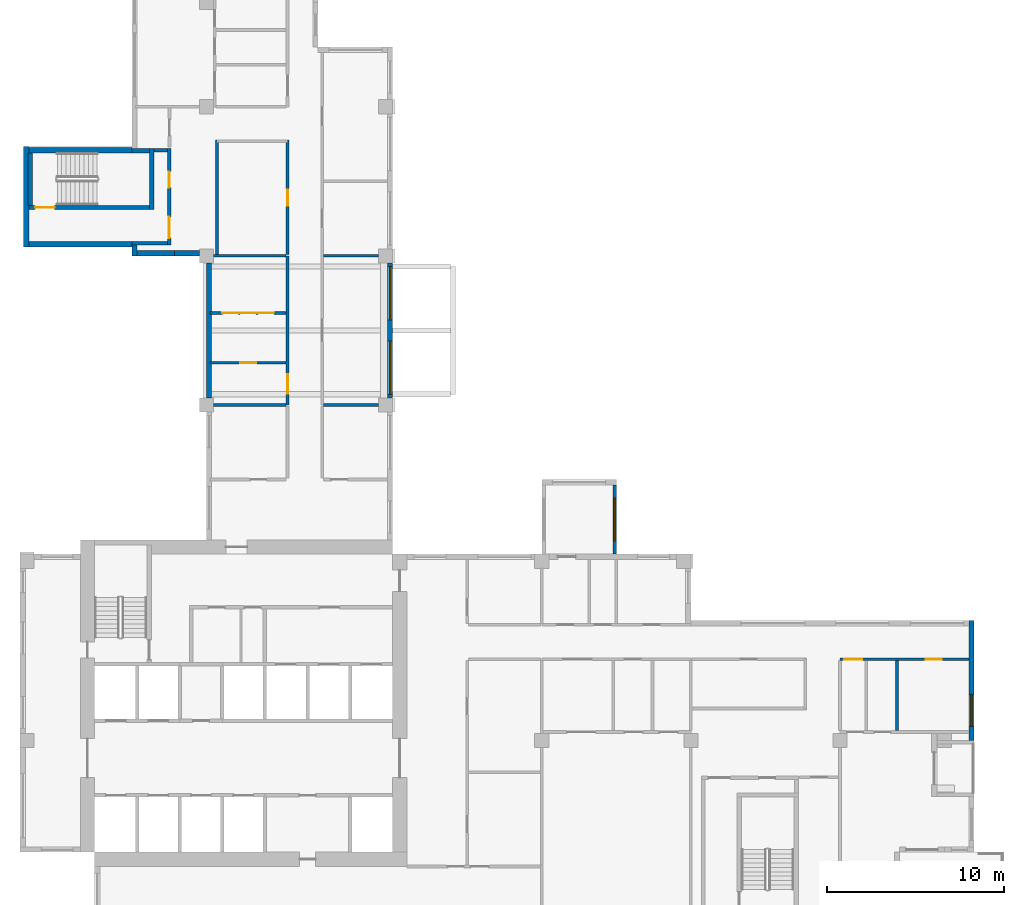
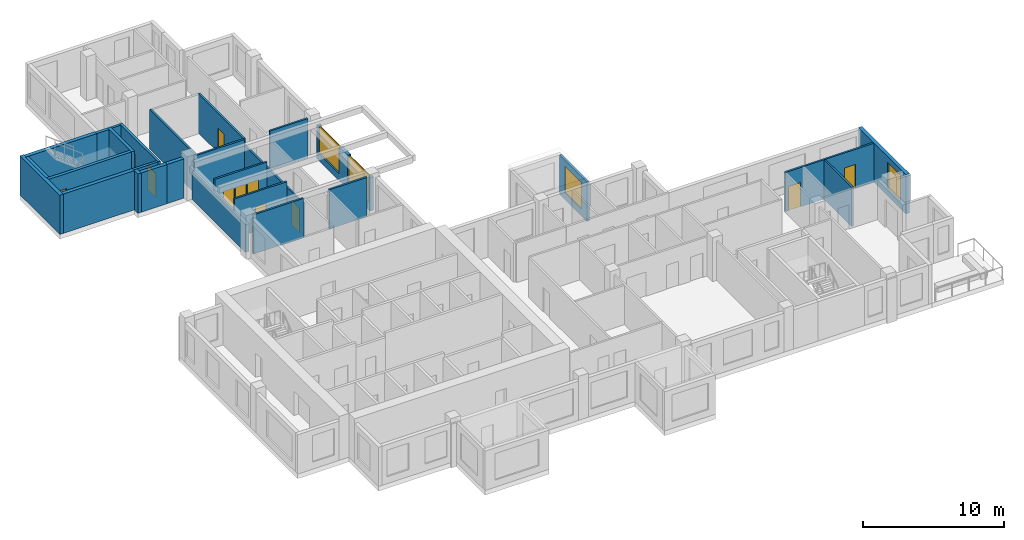
# One storey, part 6 of 12: 28 walls, 11 doors, 4 windows, 15 openings.
"""IFC4 building model written with IfcOpenShell, lengths in metres."""

from ifc_helpers import new_model, si_unit, direction, frame, frame_2d, origin, place, context, subcontext, project, spatial, rectangle, extrude, source, transform, mapped, material, layer, layer_set, type_object, element, fill, save


model = new_model("IFC4")

# Units and contexts
model_context = context("Model", 3, precision=1e-05, world=origin(), true_north=direction((0.0, 1.0)))
body_context = subcontext(model_context, "Body", "Model", "MODEL_VIEW")
ifc_project = project(units=[si_unit("LENGTHUNIT", "METRE"), si_unit("AREAUNIT", "SQUARE_METRE"), si_unit("VOLUMEUNIT", "CUBIC_METRE"), si_unit("PLANEANGLEUNIT", "RADIAN"), si_unit("MASSUNIT", "GRAM", prefix="KILO")], contexts=[model_context])

# Site, building, storey
site_placement = place(None, origin())
site = spatial("IfcSite", under=ifc_project, at=site_placement, CompositionType="ELEMENT")
building_placement = place(site_placement, origin())
building = spatial("IfcBuilding", under=site, at=building_placement, Name="Aurelian Terraces", CompositionType="ELEMENT")
storey_placement = place(building_placement, frame((0.0, 0.0, 234.8)))
storey = spatial("IfcBuildingStorey", under=building, at=storey_placement, Name="L53", CompositionType="ELEMENT", Elevation=234.8)

# Walls
ifc_material_1 = material(Name="Terracotta rainscreen cladding", Category="masonry")
ifc_layer_1 = layer(ifc_material_1, 0.3)
ifc_layer_set_1 = layer_set([ifc_layer_1], Name="EW-300")
wall_type_1 = type_object("IfcWallType", Name="EW-300", PredefinedType="STANDARD", material=ifc_layer_set_1)
wall_1_placement = place(storey_placement, frame((10.65, 37.4, 0.0), z_axis=(0.0, 0.0, 1.0), x_axis=(0.0, -1.0, 0.0)))
element("IfcWall", 1, at=wall_1_placement, inside=storey, type_object=wall_type_1, Name="External wall L53 F18.31", PredefinedType="STANDARD", context=body_context, shape_type="SweptSolid", body=[
    extrude(rectangle(XDim=7.6, YDim=0.3, at=frame_2d((3.8, 0.0))), origin(), (0.0, 0.0, 1.0), 2.4),
])
ifc_material_2 = material(Name="Concrete fc' 40 MPa", Category="concrete")
ifc_layer_2 = layer(ifc_material_2, 0.3)
ifc_layer_set_2 = layer_set([ifc_layer_2], Name="STAIR BAY WALL 300")
wall_type_2 = type_object("IfcWallType", Name="STAIR BAY WALL 300", PredefinedType="SOLIDWALL", material=ifc_layer_set_2)
shared_shape_1 = source(origin(), body_context, "Body", "SweptSolid", [
    extrude(rectangle(XDim=6.1, YDim=0.3, at=frame_2d((3.05, 0.0))), origin(), (0.0, 0.0, 1.0), 3.4),
])
for number, where, z_axis, x_axis, name in (
    (2, (6.3, 43.75, 0.0), (0.0, 0.0, 1.0), (-1.0, 0.0, 0.0), "Stair bay wall L53 F13.26"),
    (3, (0.2, 38.45, 0.0), (0.0, 0.0, 1.0), (1.0, 0.0, 0.0), "Stair bay wall L53 F15.28"),
):
    element("IfcWall", number, at=place(storey_placement, frame(where, z_axis=z_axis, x_axis=x_axis)), inside=storey, type_object=wall_type_2, Name=name, PredefinedType="SOLIDWALL", context=body_context, shape_type="MappedRepresentation", body=[
        mapped(shared_shape_1, transform((0.0, 0.0, 0.0), scale=1.0)),
    ])

# Wall, opening, window
ifc_layer_3 = layer(ifc_material_2, 0.2)
ifc_layer_set_3 = layer_set([ifc_layer_3], Name="BOX BEARING WALL 200")
wall_type_3 = type_object("IfcWallType", Name="BOX BEARING WALL 200", PredefinedType="SOLIDWALL", material=ifc_layer_set_3)
shared_shape_2 = source(origin(), body_context, "Body", "SweptSolid", [
    extrude(rectangle(XDim=3.9, YDim=0.2, at=frame_2d((1.95, 0.0))), origin(), (0.0, 0.0, 1.0), 3.4),
])
wall_2_placement = place(storey_placement, frame((33.5, 21.0, 0.0), z_axis=(0.0, 0.0, 1.0), x_axis=(0.0, 1.0, 0.0)))
wall_2 = element("IfcWall", 4, at=wall_2_placement, inside=storey, type_object=wall_type_3, Name="Box return L53 J77.1", PredefinedType="SOLIDWALL", context=body_context, shape_type="MappedRepresentation", body=[
    mapped(shared_shape_2, transform((0.0, 0.0, 0.0), scale=1.0)),
])
shared_shape_3 = source(origin(), body_context, "Body", "SweptSolid", [
    extrude(rectangle(XDim=2.4, YDim=2.3, at=frame_2d((1.2, 1.15))), frame((0.0, 0.11, 0.0), z_axis=(0.0, -1.0, 0.0), x_axis=(1.0, 0.0, 0.0)), (0.0, 0.0, 1.0), 0.22),
])
opening_1_placement = place(wall_2_placement, frame((0.75, 0.0, 0.6)))
opening_1 = element("IfcOpeningElement", 5, at=opening_1_placement, cuts=wall_2, Name="Opening W2423", PredefinedType="OPENING", context=body_context, shape_type="MappedRepresentation", body=[
    mapped(shared_shape_3, transform((0.0, 0.0, 0.0), scale=1.0)),
])
ifc_material_3 = material(Name="Clear glazing", Category="glass")
window_type_1 = type_object("IfcWindowType", Name="W-2400x2300", PartitioningType="SINGLE_PANEL", PredefinedType="WINDOW", material=ifc_material_3)
shared_shape_4 = source(origin(), body_context, "Body", "SweptSolid", [
    extrude(rectangle(XDim=2.4, YDim=2.3, at=frame_2d((1.2, 1.15))), frame((0.0, 0.03, 0.0), z_axis=(0.0, -1.0, 0.0), x_axis=(1.0, 0.0, 0.0)), (0.0, 0.0, 1.0), 0.06),
])
window_1_placement = place(opening_1_placement, origin())
window_1 = element("IfcWindow", 6, at=window_1_placement, inside=storey, type_object=window_type_1, Name="Window L53 J77-S1", OverallHeight=2.3, OverallWidth=2.4, PartitioningType="SINGLE_PANEL", PredefinedType="WINDOW", context=body_context, shape_type="MappedRepresentation", body=[
    mapped(shared_shape_4, transform((0.0, 0.0, 0.0), scale=1.0)),
])
fill(opening_1, window_1)

# Walls
shared_shape_5 = source(origin(), body_context, "Body", "SweptSolid", [
    extrude(rectangle(XDim=5.65, YDim=0.3, at=frame_2d((2.825, 0.0))), origin(), (0.0, 0.0, 1.0), 3.4),
])
wall_3_placement = place(storey_placement, frame((0.35, 43.95, 0.0), z_axis=(0.0, 0.0, 1.0), x_axis=(0.0, -1.0, 0.0)))
element("IfcWall", 7, at=wall_3_placement, inside=storey, type_object=wall_type_2, Name="Stair bay wall L53 F14.27", PredefinedType="SOLIDWALL", context=body_context, shape_type="MappedRepresentation", body=[
    mapped(shared_shape_5, transform((0.0, 0.0, 0.0), scale=1.0)),
])
shared_shape_6 = source(origin(), body_context, "Body", "SweptSolid", [
    extrude(rectangle(XDim=0.6, YDim=0.3, at=frame_2d((0.3, 0.0))), origin(), (0.0, 0.0, 1.0), 3.4),
])
wall_4_placement = place(storey_placement, frame((6.45, 38.4, 0.0), z_axis=(0.0, 0.0, 1.0), x_axis=(0.0, -1.0, 0.0)))
element("IfcWall", 8, at=wall_4_placement, inside=storey, type_object=wall_type_1, Name="External wall L53 F16.29", PredefinedType="STANDARD", context=body_context, shape_type="MappedRepresentation", body=[
    mapped(shared_shape_6, transform((0.0, 0.0, 0.0), scale=1.0)),
])
shared_shape_7 = source(origin(), body_context, "Body", "SweptSolid", [
    extrude(rectangle(XDim=2.1, YDim=0.3, at=frame_2d((1.05, 0.0))), origin(), (0.0, 0.0, 1.0), 3.4),
])
wall_5_placement = place(storey_placement, frame((6.6, 37.95, 0.0), z_axis=(0.0, 0.0, 1.0), x_axis=(1.0, 0.0, 0.0)))
element("IfcWall", 9, at=wall_5_placement, inside=storey, type_object=wall_type_2, Name="Stair bay wall L53 F17.30", PredefinedType="SOLIDWALL", context=body_context, shape_type="MappedRepresentation", body=[
    mapped(shared_shape_7, transform((0.0, 0.0, 0.0), scale=1.0)),
])

# Wall, opening, window
shared_shape_8 = source(origin(), body_context, "Body", "SweptSolid", [
    extrude(rectangle(XDim=6.75, YDim=0.3, at=frame_2d((3.375, 0.0))), origin(), (0.0, 0.0, 1.0), 3.4),
])
wall_6_placement = place(storey_placement, frame((53.61, 10.5, 0.0), z_axis=(0.0, 0.0, 1.0), x_axis=(0.0, 1.0, 0.0)))
wall_6 = element("IfcWall", 10, at=wall_6_placement, inside=storey, type_object=wall_type_1, Name="External wall L53 F04.12", PredefinedType="STANDARD", context=body_context, shape_type="MappedRepresentation", body=[
    mapped(shared_shape_8, transform((0.0, 0.0, 0.0), scale=1.0)),
])
shared_shape_9 = source(origin(), body_context, "Body", "SweptSolid", [
    extrude(rectangle(XDim=1.8, YDim=2.3, at=frame_2d((0.9, 1.15))), frame((0.0, 0.16, 0.0), z_axis=(0.0, -1.0, 0.0), x_axis=(1.0, 0.0, 0.0)), (0.0, 0.0, 1.0), 0.32),
])
opening_2_placement = place(wall_6_placement, frame((0.7875, 0.0, 0.6)))
opening_2 = element("IfcOpeningElement", 11, at=opening_2_placement, cuts=wall_6, Name="Opening W1823", PredefinedType="OPENING", context=body_context, shape_type="MappedRepresentation", body=[
    mapped(shared_shape_9, transform((0.0, 0.0, 0.0), scale=1.0)),
])
window_type_2 = type_object("IfcWindowType", Name="W-1800x2300", PartitioningType="SINGLE_PANEL", PredefinedType="WINDOW", material=ifc_material_3)
shared_shape_10 = source(origin(), body_context, "Body", "SweptSolid", [
    extrude(rectangle(XDim=1.8, YDim=2.3, at=frame_2d((0.9, 1.15))), frame((0.0, 0.03, 0.0), z_axis=(0.0, -1.0, 0.0), x_axis=(1.0, 0.0, 0.0)), (0.0, 0.0, 1.0), 0.06),
])
window_2_placement = place(opening_2_placement, origin())
window_2 = element("IfcWindow", 12, at=window_2_placement, inside=storey, type_object=window_type_2, Name="Window L53 L53-F04-12-0", OverallHeight=2.3, OverallWidth=1.8, PartitioningType="SINGLE_PANEL", PredefinedType="WINDOW", context=body_context, shape_type="MappedRepresentation", body=[
    mapped(shared_shape_10, transform((0.0, 0.0, 0.0), scale=1.0)),
])
fill(opening_2, window_2)

# Wall, openings, windows
shared_shape_11 = source(origin(), body_context, "Body", "SweptSolid", [
    extrude(rectangle(XDim=7.6, YDim=0.3, at=frame_2d((3.8, 0.0))), origin(), (0.0, 0.0, 1.0), 2.9),
])
wall_7_placement = place(storey_placement, frame((20.85, 29.8, 0.0), z_axis=(0.0, 0.0, 1.0), x_axis=(0.0, 1.0, 0.0)))
wall_7 = element("IfcWall", 13, at=wall_7_placement, inside=storey, type_object=wall_type_1, Name="External wall L53 F08.18", PredefinedType="STANDARD", context=body_context, shape_type="MappedRepresentation", body=[
    mapped(shared_shape_11, transform((0.0, 0.0, 0.0), scale=1.0)),
])
shared_shape_12 = source(origin(), body_context, "Body", "SweptSolid", [
    extrude(rectangle(XDim=3.0, YDim=2.3, at=frame_2d((1.5, 1.15))), frame((0.0, 0.16, 0.0), z_axis=(0.0, -1.0, 0.0), x_axis=(1.0, 0.0, 0.0)), (0.0, 0.0, 1.0), 0.32),
])
opening_3_placement = place(wall_7_placement, frame((0.2, 0.0, 0.6)))
opening_3 = element("IfcOpeningElement", 14, at=opening_3_placement, cuts=wall_7, Name="Opening W3023", PredefinedType="OPENING", context=body_context, shape_type="MappedRepresentation", body=[
    mapped(shared_shape_12, transform((0.0, 0.0, 0.0), scale=1.0)),
])
opening_4_placement = place(wall_7_placement, frame((4.4, 0.0, 0.6)))
opening_4 = element("IfcOpeningElement", 15, at=opening_4_placement, cuts=wall_7, Name="Opening W3023", PredefinedType="OPENING", context=body_context, shape_type="MappedRepresentation", body=[
    mapped(shared_shape_12, transform((0.0, 0.0, 0.0), scale=1.0)),
])
window_type_3 = type_object("IfcWindowType", Name="W-3000x2300", PartitioningType="SINGLE_PANEL", PredefinedType="WINDOW", material=ifc_material_3)
shared_shape_13 = source(origin(), body_context, "Body", "SweptSolid", [
    extrude(rectangle(XDim=3.0, YDim=2.3, at=frame_2d((1.5, 1.15))), frame((0.0, 0.03, 0.0), z_axis=(0.0, -1.0, 0.0), x_axis=(1.0, 0.0, 0.0)), (0.0, 0.0, 1.0), 0.06),
])
window_3_placement = place(opening_3_placement, origin())
window_3 = element("IfcWindow", 16, at=window_3_placement, inside=storey, type_object=window_type_3, Name="Window L53 L53-F08-18-0", OverallHeight=2.3, OverallWidth=3.0, PartitioningType="SINGLE_PANEL", PredefinedType="WINDOW", context=body_context, shape_type="MappedRepresentation", body=[
    mapped(shared_shape_13, transform((0.0, 0.0, 0.0), scale=1.0)),
])
fill(opening_3, window_3)
window_4_placement = place(opening_4_placement, origin())
window_4 = element("IfcWindow", 17, at=window_4_placement, inside=storey, type_object=window_type_3, Name="Window L53 L53-F08-18-1", OverallHeight=2.3, OverallWidth=3.0, PartitioningType="SINGLE_PANEL", PredefinedType="WINDOW", context=body_context, shape_type="MappedRepresentation", body=[
    mapped(shared_shape_13, transform((0.0, 0.0, 0.0), scale=1.0)),
])
fill(opening_4, window_4)

# Wall
shared_shape_14 = source(origin(), body_context, "Body", "SweptSolid", [
    extrude(rectangle(XDim=1.4, YDim=0.3, at=frame_2d((0.7, 0.0))), origin(), (0.0, 0.0, 1.0), 3.4),
])
wall_8_placement = place(storey_placement, frame((8.7, 37.95, 0.0), z_axis=(0.0, 0.0, 1.0), x_axis=(1.0, 0.0, 0.0)))
element("IfcWall", 18, at=wall_8_placement, inside=storey, type_object=wall_type_1, Name="External wall L53 F17.30", PredefinedType="STANDARD", context=body_context, shape_type="MappedRepresentation", body=[
    mapped(shared_shape_14, transform((0.0, 0.0, 0.0), scale=1.0)),
])

# Wall, opening, door
ifc_layer_4 = layer(ifc_material_2, 0.25)
ifc_layer_set_4 = layer_set([ifc_layer_4], Name="Stair enclosure wall 250")
wall_type_4 = type_object("IfcWallType", Name="Stair enclosure wall 250", PredefinedType="SOLIDWALL", material=ifc_layer_set_4)
shared_shape_15 = source(origin(), body_context, "Body", "SweptSolid", [
    extrude(rectangle(XDim=7.0, YDim=0.25, at=frame_2d((3.5, 0.0))), origin(), (0.0, 0.0, 1.0), 3.4),
])
wall_9_placement = place(storey_placement, frame((0.3, 40.525, 0.0), z_axis=(0.0, 0.0, 1.0), x_axis=(1.0, 0.0, 0.0)))
wall_9 = element("IfcWall", 19, at=wall_9_placement, inside=storey, type_object=wall_type_4, Name="L53 core wall ST-S3-W", PredefinedType="SOLIDWALL", context=body_context, shape_type="MappedRepresentation", body=[
    mapped(shared_shape_15, transform((0.0, 0.0, 0.0), scale=1.0)),
])
shared_shape_16 = source(origin(), body_context, "Body", "SweptSolid", [
    extrude(rectangle(XDim=1.1, YDim=2.1, at=frame_2d((0.55, 1.05))), frame((0.0, 0.135, 0.0), z_axis=(0.0, -1.0, 0.0), x_axis=(1.0, 0.0, 0.0)), (0.0, 0.0, 1.0), 0.27),
])
opening_5_placement = place(wall_9_placement, frame((0.55, 0.0, 0.0)))
opening_5 = element("IfcOpeningElement", 20, at=opening_5_placement, cuts=wall_9, Name="Opening 65618", PredefinedType="OPENING", context=body_context, shape_type="MappedRepresentation", body=[
    mapped(shared_shape_16, transform((0.0, 0.0, 0.0), scale=1.0)),
])
ifc_material_4 = material(Name="Steel door leaf", Category="steel")
door_type_1 = type_object("IfcDoorType", Name="Core fire door 1100x2100", OperationType="SINGLE_SWING_LEFT", PredefinedType="DOOR", material=ifc_material_4)
shared_shape_17 = source(origin(), body_context, "Body", "SweptSolid", [
    extrude(rectangle(XDim=1.1, YDim=2.1, at=frame_2d((0.55, 1.05))), frame((0.0, 0.025, 0.0), z_axis=(0.0, -1.0, 0.0), x_axis=(1.0, 0.0, 0.0)), (0.0, 0.0, 1.0), 0.05),
])
door_1_placement = place(opening_5_placement, origin())
door_1 = element("IfcDoor", 21, at=door_1_placement, inside=storey, type_object=door_type_1, Name="Stair door 65618", OperationType="SINGLE_SWING_LEFT", OverallHeight=2.1, OverallWidth=1.1, PredefinedType="DOOR", context=body_context, shape_type="MappedRepresentation", body=[
    mapped(shared_shape_17, transform((0.0, 0.0, 0.0), scale=1.0)),
])
fill(opening_5, door_1)

# Walls
shared_shape_18 = source(origin(), body_context, "Body", "SweptSolid", [
    extrude(rectangle(XDim=3.45, YDim=0.25, at=frame_2d((1.725, 0.0))), origin(), (0.0, 0.0, 1.0), 3.4),
])
wall_10_placement = place(storey_placement, frame((7.425, 40.4, 0.0), z_axis=(0.0, 0.0, 1.0), x_axis=(0.0, 1.0, 0.0)))
element("IfcWall", 22, at=wall_10_placement, inside=storey, type_object=wall_type_4, Name="L53 core wall ST-S3-N", PredefinedType="SOLIDWALL", context=body_context, shape_type="MappedRepresentation", body=[
    mapped(shared_shape_18, transform((0.0, 0.0, 0.0), scale=1.0)),
])
shared_shape_19 = source(origin(), body_context, "Body", "SweptSolid", [
    extrude(rectangle(XDim=2.95, YDim=0.25, at=frame_2d((1.475, 0.0))), origin(), (0.0, 0.0, 1.0), 3.4),
])
wall_11_placement = place(storey_placement, frame((0.575, 40.65, 0.0), z_axis=(0.0, 0.0, 1.0), x_axis=(0.0, 1.0, 0.0)))
element("IfcWall", 23, at=wall_11_placement, inside=storey, type_object=wall_type_4, Name="L53 core wall ST-S3-SS", PredefinedType="SOLIDWALL", context=body_context, shape_type="MappedRepresentation", body=[
    mapped(shared_shape_19, transform((0.0, 0.0, 0.0), scale=1.0)),
])

# Wall, openings, doors
ifc_material_5 = material(Name="Gypsum board on steel studs", Category="steel")
ifc_layer_5 = layer(ifc_material_5, 0.2)
ifc_layer_set_5 = layer_set([ifc_layer_5], Name="Core partition 200")
wall_type_5 = type_object("IfcWallType", Name="Core partition 200", PredefinedType="PARTITIONING", material=ifc_layer_set_5)
shared_shape_20 = source(origin(), body_context, "Body", "SweptSolid", [
    extrude(rectangle(XDim=5.45, YDim=0.2, at=frame_2d((2.725, 0.0))), origin(), (0.0, 0.0, 1.0), 3.4),
])
wall_12_placement = place(storey_placement, frame((8.4, 38.4, 0.0), z_axis=(0.0, 0.0, 1.0), x_axis=(0.0, 1.0, 0.0)))
wall_12 = element("IfcWall", 24, at=wall_12_placement, inside=storey, type_object=wall_type_5, Name="L53 core wall ST-S3-BN", PredefinedType="PARTITIONING", context=body_context, shape_type="MappedRepresentation", body=[
    mapped(shared_shape_20, transform((0.0, 0.0, 0.0), scale=1.0)),
])
shared_shape_21 = source(origin(), body_context, "Body", "SweptSolid", [
    extrude(rectangle(XDim=1.2, YDim=2.1, at=frame_2d((0.6, 1.05))), frame((0.0, 0.11, 0.0), z_axis=(0.0, -1.0, 0.0), x_axis=(1.0, 0.0, 0.0)), (0.0, 0.0, 1.0), 0.22),
])
opening_6_placement = place(wall_12_placement, frame((0.4, 0.0, 0.0)))
opening_6 = element("IfcOpeningElement", 25, at=opening_6_placement, cuts=wall_12, Name="Opening 65619", PredefinedType="OPENING", context=body_context, shape_type="MappedRepresentation", body=[
    mapped(shared_shape_21, transform((0.0, 0.0, 0.0), scale=1.0)),
])
shared_shape_22 = source(origin(), body_context, "Body", "SweptSolid", [
    extrude(rectangle(XDim=0.9, YDim=2.1, at=frame_2d((0.45, 1.05))), frame((0.0, 0.11, 0.0), z_axis=(0.0, -1.0, 0.0), x_axis=(1.0, 0.0, 0.0)), (0.0, 0.0, 1.0), 0.22),
])
opening_7_placement = place(wall_12_placement, frame((3.25, 0.0, 0.0)))
opening_7 = element("IfcOpeningElement", 26, at=opening_7_placement, cuts=wall_12, Name="Opening 65620", PredefinedType="OPENING", context=body_context, shape_type="MappedRepresentation", body=[
    mapped(shared_shape_22, transform((0.0, 0.0, 0.0), scale=1.0)),
])
door_type_2 = type_object("IfcDoorType", Name="Core riser door 900x2100", OperationType="SINGLE_SWING_LEFT", PredefinedType="DOOR", material=ifc_material_4)
shared_shape_23 = source(origin(), body_context, "Body", "SweptSolid", [
    extrude(rectangle(XDim=0.9, YDim=2.1, at=frame_2d((0.45, 1.05))), frame((0.0, 0.025, 0.0), z_axis=(0.0, -1.0, 0.0), x_axis=(1.0, 0.0, 0.0)), (0.0, 0.0, 1.0), 0.05),
])
door_2_placement = place(opening_7_placement, origin())
door_2 = element("IfcDoor", 27, at=door_2_placement, inside=storey, type_object=door_type_2, Name="Riser door 65620", OperationType="SINGLE_SWING_LEFT", OverallHeight=2.1, OverallWidth=0.9, PredefinedType="DOOR", context=body_context, shape_type="MappedRepresentation", body=[
    mapped(shared_shape_23, transform((0.0, 0.0, 0.0), scale=1.0)),
])
fill(opening_7, door_2)
door_type_3 = type_object("IfcDoorType", Name="Core fire door 1200x2100 right", OperationType="SINGLE_SWING_RIGHT", PredefinedType="DOOR", material=ifc_material_4)
shared_shape_24 = source(origin(), body_context, "Body", "SweptSolid", [
    extrude(rectangle(XDim=1.2, YDim=2.1, at=frame_2d((0.6, 1.05))), frame((0.0, 0.025, 0.0), z_axis=(0.0, -1.0, 0.0), x_axis=(1.0, 0.0, 0.0)), (0.0, 0.0, 1.0), 0.05),
])
door_3_placement = place(opening_6_placement, origin())
door_3 = element("IfcDoor", 28, at=door_3_placement, inside=storey, type_object=door_type_3, Name="Vestibule door 65619", OperationType="SINGLE_SWING_RIGHT", OverallHeight=2.1, OverallWidth=1.2, PredefinedType="DOOR", context=body_context, shape_type="MappedRepresentation", body=[
    mapped(shared_shape_24, transform((0.0, 0.0, 0.0), scale=1.0)),
])
fill(opening_6, door_3)

# Walls
shared_shape_25 = source(origin(), body_context, "Body", "SweptSolid", [
    extrude(rectangle(XDim=0.75, YDim=0.2, at=frame_2d((0.375, 0.0))), origin(), (0.0, 0.0, 1.0), 3.4),
])
wall_13_placement = place(storey_placement, frame((7.55, 43.75, 0.0), z_axis=(0.0, 0.0, 1.0), x_axis=(1.0, 0.0, 0.0)))
element("IfcWall", 29, at=wall_13_placement, inside=storey, type_object=wall_type_5, Name="L53 core wall ST-S3-RE", PredefinedType="PARTITIONING", context=body_context, shape_type="MappedRepresentation", body=[
    mapped(shared_shape_25, transform((0.0, 0.0, 0.0), scale=1.0)),
])
shared_shape_26 = source(origin(), body_context, "Body", "SweptSolid", [
    extrude(rectangle(XDim=1.0, YDim=0.25, at=frame_2d((0.5, 0.0))), origin(), (0.0, 0.0, 1.0), 3.4),
])
wall_14_placement = place(storey_placement, frame((6.3, 43.725, 0.0), z_axis=(0.0, 0.0, 1.0), x_axis=(1.0, 0.0, 0.0)))
element("IfcWall", 30, at=wall_14_placement, inside=storey, type_object=wall_type_4, Name="L53 core wall ST-S3-E", PredefinedType="SOLIDWALL", context=body_context, shape_type="MappedRepresentation", body=[
    mapped(shared_shape_26, transform((0.0, 0.0, 0.0), scale=1.0)),
])
shared_shape_27 = source(origin(), body_context, "Body", "SweptSolid", [
    extrude(rectangle(XDim=2.0, YDim=0.2, at=frame_2d((1.0, 0.0))), origin(), (0.0, 0.0, 1.0), 3.4),
])
wall_15_placement = place(storey_placement, frame((6.3, 38.5, 0.0), z_axis=(0.0, 0.0, 1.0), x_axis=(1.0, 0.0, 0.0)))
element("IfcWall", 31, at=wall_15_placement, inside=storey, type_object=wall_type_5, Name="L53 core wall ST-S3-VW", PredefinedType="PARTITIONING", context=body_context, shape_type="MappedRepresentation", body=[
    mapped(shared_shape_27, transform((0.0, 0.0, 0.0), scale=1.0)),
])
ifc_layer_6 = layer(ifc_material_5, 0.15)
ifc_layer_set_6 = layer_set([ifc_layer_6], Name="Partition 150")
wall_type_6 = type_object("IfcWallType", Name="Partition 150", PredefinedType="PARTITIONING", material=ifc_layer_set_6)
shared_shape_28 = source(origin(), body_context, "Body", "SweptSolid", [
    extrude(rectangle(XDim=6.45, YDim=0.15, at=frame_2d((3.225, 0.0))), origin(), (0.0, 0.0, 1.0), 3.4),
])
wall_16_placement = place(storey_placement, frame((11.1, 44.325, 0.0), z_axis=(0.0, 0.0, 1.0), x_axis=(0.0, -1.0, 0.0)))
element("IfcWall", 32, at=wall_16_placement, inside=storey, type_object=wall_type_6, Name="Partition", PredefinedType="PARTITIONING", context=body_context, shape_type="MappedRepresentation", body=[
    mapped(shared_shape_28, transform((0.0, 0.0, 0.0), scale=1.0)),
])

# Wall, opening, door
ifc_layer_7 = layer(ifc_material_5, 0.15)
ifc_layer_set_7 = layer_set([ifc_layer_7], Name="Fire partition 150")
wall_type_7 = type_object("IfcWallType", Name="Fire partition 150", PredefinedType="PARTITIONING", material=ifc_layer_set_7)
wall_17_placement = place(storey_placement, frame((15.075, 37.875, 0.0), z_axis=(0.0, 0.0, 1.0), x_axis=(0.0, 1.0, 0.0)))
wall_17 = element("IfcWall", 33, at=wall_17_placement, inside=storey, type_object=wall_type_7, Name="Corridor wall", PredefinedType="PARTITIONING", context=body_context, shape_type="MappedRepresentation", body=[
    mapped(shared_shape_28, transform((0.0, 0.0, 0.0), scale=1.0)),
])
shared_shape_29 = source(origin(), body_context, "Body", "SweptSolid", [
    extrude(rectangle(XDim=0.9, YDim=2.1, at=frame_2d((0.45, 1.05))), frame((0.0, 0.085, 0.0), z_axis=(0.0, -1.0, 0.0), x_axis=(1.0, 0.0, 0.0)), (0.0, 0.0, 1.0), 0.17),
])
opening_8_placement = place(wall_17_placement, frame((2.7375, 0.0, 0.0)))
opening_8 = element("IfcOpeningElement", 34, at=opening_8_placement, cuts=wall_17, Name="Opening 753020", PredefinedType="OPENING", context=body_context, shape_type="MappedRepresentation", body=[
    mapped(shared_shape_29, transform((0.0, 0.0, 0.0), scale=1.0)),
])
ifc_material_6 = material(Name="Timber door leaf", Category="wood")
door_type_4 = type_object("IfcDoorType", Name="Room door 900x2100 right", OperationType="SINGLE_SWING_RIGHT", PredefinedType="DOOR", material=ifc_material_6)
door_4_placement = place(opening_8_placement, origin())
door_4 = element("IfcDoor", 35, at=door_4_placement, inside=storey, type_object=door_type_4, Name="Door 753020", OperationType="SINGLE_SWING_RIGHT", OverallHeight=2.1, OverallWidth=0.9, PredefinedType="DOOR", context=body_context, shape_type="MappedRepresentation", body=[
    mapped(shared_shape_23, transform((0.0, 0.0, 0.0), scale=1.0)),
])
fill(opening_8, door_4)

# Wall, openings, doors
shared_shape_30 = source(origin(), body_context, "Body", "SweptSolid", [
    extrude(rectangle(XDim=7.26, YDim=0.15, at=frame_2d((3.63, 0.0))), origin(), (0.0, 0.0, 1.0), 3.4),
])
wall_18_placement = place(storey_placement, frame((53.46, 15.075, 0.0), z_axis=(0.0, 0.0, 1.0), x_axis=(-1.0, 0.0, 0.0)))
wall_18 = element("IfcWall", 36, at=wall_18_placement, inside=storey, type_object=wall_type_7, Name="Corridor wall", PredefinedType="PARTITIONING", context=body_context, shape_type="MappedRepresentation", body=[
    mapped(shared_shape_30, transform((0.0, 0.0, 0.0), scale=1.0)),
])
shared_shape_31 = source(origin(), body_context, "Body", "SweptSolid", [
    extrude(rectangle(XDim=1.0, YDim=2.1, at=frame_2d((0.5, 1.05))), frame((0.0, 0.085, 0.0), z_axis=(0.0, -1.0, 0.0), x_axis=(1.0, 0.0, 0.0)), (0.0, 0.0, 1.0), 0.17),
])
opening_9_placement = place(wall_18_placement, frame((6.0177, 0.0, 0.0)))
opening_9 = element("IfcOpeningElement", 37, at=opening_9_placement, cuts=wall_18, Name="Opening 753012", PredefinedType="OPENING", context=body_context, shape_type="MappedRepresentation", body=[
    mapped(shared_shape_31, transform((0.0, 0.0, 0.0), scale=1.0)),
])
opening_10_placement = place(wall_18_placement, frame((1.5345, 0.0, 0.0)))
opening_10 = element("IfcOpeningElement", 38, at=opening_10_placement, cuts=wall_18, Name="Opening 753015", PredefinedType="OPENING", context=body_context, shape_type="MappedRepresentation", body=[
    mapped(shared_shape_29, transform((0.0, 0.0, 0.0), scale=1.0)),
])
door_type_5 = type_object("IfcDoorType", Name="Entrance fire door 1000x2100 left", OperationType="SINGLE_SWING_LEFT", PredefinedType="DOOR", material=ifc_material_4)
shared_shape_32 = source(origin(), body_context, "Body", "SweptSolid", [
    extrude(rectangle(XDim=1.0, YDim=2.1, at=frame_2d((0.5, 1.05))), frame((0.0, 0.025, 0.0), z_axis=(0.0, -1.0, 0.0), x_axis=(1.0, 0.0, 0.0)), (0.0, 0.0, 1.0), 0.05),
])
door_5_placement = place(opening_9_placement, origin())
door_5 = element("IfcDoor", 39, at=door_5_placement, inside=storey, type_object=door_type_5, Name="Door 753012", OperationType="SINGLE_SWING_LEFT", OverallHeight=2.1, OverallWidth=1.0, PredefinedType="DOOR", context=body_context, shape_type="MappedRepresentation", body=[
    mapped(shared_shape_32, transform((0.0, 0.0, 0.0), scale=1.0)),
])
fill(opening_9, door_5)
door_type_6 = type_object("IfcDoorType", Name="Entrance fire door 900x2100 right", OperationType="SINGLE_SWING_RIGHT", PredefinedType="DOOR", material=ifc_material_4)
door_6_placement = place(opening_10_placement, origin())
door_6 = element("IfcDoor", 40, at=door_6_placement, inside=storey, type_object=door_type_6, Name="Door 753015", OperationType="SINGLE_SWING_RIGHT", OverallHeight=2.1, OverallWidth=0.9, PredefinedType="DOOR", context=body_context, shape_type="MappedRepresentation", body=[
    mapped(shared_shape_23, transform((0.0, 0.0, 0.0), scale=1.0)),
])
fill(opening_10, door_6)

# Wall, opening, door
shared_shape_33 = source(origin(), body_context, "Body", "SweptSolid", [
    extrude(rectangle(XDim=4.295, YDim=0.15, at=frame_2d((2.1475, 0.0))), origin(), (0.0, 0.0, 1.0), 3.4),
])
wall_19_placement = place(storey_placement, frame((15.0, 31.7771, 0.0), z_axis=(0.0, 0.0, 1.0), x_axis=(-1.0, 0.0, 0.0)))
wall_19 = element("IfcWall", 41, at=wall_19_placement, inside=storey, type_object=wall_type_6, Name="Partition", PredefinedType="PARTITIONING", context=body_context, shape_type="MappedRepresentation", body=[
    mapped(shared_shape_33, transform((0.0, 0.0, 0.0), scale=1.0)),
])
opening_11_placement = place(wall_19_placement, frame((1.6975, 0.0, 0.0)))
opening_11 = element("IfcOpeningElement", 42, at=opening_11_placement, cuts=wall_19, Name="Opening 753032", PredefinedType="OPENING", context=body_context, shape_type="MappedRepresentation", body=[
    mapped(shared_shape_29, transform((0.0, 0.0, 0.0), scale=1.0)),
])
door_type_7 = type_object("IfcDoorType", Name="Room door 900x2100 left", OperationType="SINGLE_SWING_LEFT", PredefinedType="DOOR", material=ifc_material_6)
door_7_placement = place(opening_11_placement, origin())
door_7 = element("IfcDoor", 43, at=door_7_placement, inside=storey, type_object=door_type_7, Name="Door 753032", OperationType="SINGLE_SWING_LEFT", OverallHeight=2.1, OverallWidth=0.9, PredefinedType="DOOR", context=body_context, shape_type="MappedRepresentation", body=[
    mapped(shared_shape_23, transform((0.0, 0.0, 0.0), scale=1.0)),
])
fill(opening_11, door_7)

# Wall, openings, doors
wall_20_placement = place(storey_placement, frame((15.0, 34.5827, 0.0), z_axis=(0.0, 0.0, 1.0), x_axis=(-1.0, 0.0, 0.0)))
wall_20 = element("IfcWall", 44, at=wall_20_placement, inside=storey, type_object=wall_type_6, Name="Partition", PredefinedType="PARTITIONING", context=body_context, shape_type="MappedRepresentation", body=[
    mapped(shared_shape_33, transform((0.0, 0.0, 0.0), scale=1.0)),
])
opening_12_placement = place(wall_20_placement, frame((1.6975, 0.0, 0.0)))
opening_12 = element("IfcOpeningElement", 45, at=opening_12_placement, cuts=wall_20, Name="Opening 753033", PredefinedType="OPENING", context=body_context, shape_type="MappedRepresentation", body=[
    mapped(shared_shape_29, transform((0.0, 0.0, 0.0), scale=1.0)),
])
opening_13_placement = place(wall_20_placement, frame((0.698, 0.0, 0.0)))
opening_13 = element("IfcOpeningElement", 46, at=opening_13_placement, cuts=wall_20, Name="Opening 753034", PredefinedType="OPENING", context=body_context, shape_type="MappedRepresentation", body=[
    mapped(shared_shape_29, transform((0.0, 0.0, 0.0), scale=1.0)),
])
opening_14_placement = place(wall_20_placement, frame((2.698, 0.0, 0.0)))
opening_14 = element("IfcOpeningElement", 47, at=opening_14_placement, cuts=wall_20, Name="Opening 753035", PredefinedType="OPENING", context=body_context, shape_type="MappedRepresentation", body=[
    mapped(shared_shape_29, transform((0.0, 0.0, 0.0), scale=1.0)),
])
door_8_placement = place(opening_12_placement, origin())
door_8 = element("IfcDoor", 48, at=door_8_placement, inside=storey, type_object=door_type_7, Name="Door 753033", OperationType="SINGLE_SWING_LEFT", OverallHeight=2.1, OverallWidth=0.9, PredefinedType="DOOR", context=body_context, shape_type="MappedRepresentation", body=[
    mapped(shared_shape_23, transform((0.0, 0.0, 0.0), scale=1.0)),
])
fill(opening_12, door_8)
door_type_8 = type_object("IfcDoorType", Name="Entrance fire door 900x2100 left", OperationType="SINGLE_SWING_LEFT", PredefinedType="DOOR", material=ifc_material_4)
door_9_placement = place(opening_13_placement, origin())
door_9 = element("IfcDoor", 49, at=door_9_placement, inside=storey, type_object=door_type_8, Name="Door 753034", OperationType="SINGLE_SWING_LEFT", OverallHeight=2.1, OverallWidth=0.9, PredefinedType="DOOR", context=body_context, shape_type="MappedRepresentation", body=[
    mapped(shared_shape_23, transform((0.0, 0.0, 0.0), scale=1.0)),
])
fill(opening_13, door_9)
door_10_placement = place(opening_14_placement, origin())
door_10 = element("IfcDoor", 50, at=door_10_placement, inside=storey, type_object=door_type_8, Name="Door 753035", OperationType="SINGLE_SWING_LEFT", OverallHeight=2.1, OverallWidth=0.9, PredefinedType="DOOR", context=body_context, shape_type="MappedRepresentation", body=[
    mapped(shared_shape_23, transform((0.0, 0.0, 0.0), scale=1.0)),
])
fill(opening_14, door_10)

# Wall, opening, door
shared_shape_34 = source(origin(), body_context, "Body", "SweptSolid", [
    extrude(rectangle(XDim=8.4, YDim=0.15, at=frame_2d((4.2, 0.0))), origin(), (0.0, 0.0, 1.0), 2.9),
])
wall_21_placement = place(storey_placement, frame((15.075, 29.4, 0.0), z_axis=(0.0, 0.0, 1.0), x_axis=(0.0, 1.0, 0.0)))
wall_21 = element("IfcWall", 51, at=wall_21_placement, inside=storey, type_object=wall_type_7, Name="Corridor wall", PredefinedType="PARTITIONING", context=body_context, shape_type="MappedRepresentation", body=[
    mapped(shared_shape_34, transform((0.0, 0.0, 0.0), scale=1.0)),
])
shared_shape_35 = source(origin(), body_context, "Body", "SweptSolid", [
    extrude(rectangle(XDim=1.1, YDim=2.1, at=frame_2d((0.55, 1.05))), frame((0.0, 0.085, 0.0), z_axis=(0.0, -1.0, 0.0), x_axis=(1.0, 0.0, 0.0)), (0.0, 0.0, 1.0), 0.17),
])
opening_15_placement = place(wall_21_placement, frame((0.6385, 0.0, 0.0)))
opening_15 = element("IfcOpeningElement", 52, at=opening_15_placement, cuts=wall_21, Name="Opening 753022", PredefinedType="OPENING", context=body_context, shape_type="MappedRepresentation", body=[
    mapped(shared_shape_35, transform((0.0, 0.0, 0.0), scale=1.0)),
])
door_type_9 = type_object("IfcDoorType", Name="Entrance fire door 1100x2100 left", OperationType="SINGLE_SWING_LEFT", PredefinedType="DOOR", material=ifc_material_4)
door_11_placement = place(opening_15_placement, origin())
door_11 = element("IfcDoor", 53, at=door_11_placement, inside=storey, type_object=door_type_9, Name="Door 753022", OperationType="SINGLE_SWING_LEFT", OverallHeight=2.1, OverallWidth=1.1, PredefinedType="DOOR", context=body_context, shape_type="MappedRepresentation", body=[
    mapped(shared_shape_17, transform((0.0, 0.0, 0.0), scale=1.0)),
])
fill(opening_15, door_11)

# Walls
shared_shape_36 = source(origin(), body_context, "Body", "SweptSolid", [
    extrude(rectangle(XDim=3.95, YDim=0.15, at=frame_2d((1.975, 0.0))), origin(), (0.0, 0.0, 1.0), 3.4),
])
wall_22_placement = place(storey_placement, frame((49.4159, 11.05, 0.0), z_axis=(0.0, 0.0, 1.0), x_axis=(0.0, 1.0, 0.0)))
element("IfcWall", 54, at=wall_22_placement, inside=storey, type_object=wall_type_6, Name="Partition", PredefinedType="PARTITIONING", context=body_context, shape_type="MappedRepresentation", body=[
    mapped(shared_shape_36, transform((0.0, 0.0, 0.0), scale=1.0)),
])
shared_shape_37 = source(origin(), body_context, "Body", "SweptSolid", [
    extrude(rectangle(XDim=4.101, YDim=0.15, at=frame_2d((2.0505, 0.0))), origin(), (0.0, 0.0, 1.0), 3.4),
])
wall_23_placement = place(storey_placement, frame((15.0, 29.4, 0.0), z_axis=(0.0, 0.0, 1.0), x_axis=(-1.0, 0.0, 0.0)))
element("IfcWall", 55, at=wall_23_placement, inside=storey, type_object=wall_type_6, Name="Partition", PredefinedType="PARTITIONING", context=body_context, shape_type="MappedRepresentation", body=[
    mapped(shared_shape_37, transform((0.0, 0.0, 0.0), scale=1.0)),
])
wall_24_placement = place(storey_placement, frame((15.0, 37.8, 0.0), z_axis=(0.0, 0.0, 1.0), x_axis=(-1.0, 0.0, 0.0)))
element("IfcWall", 56, at=wall_24_placement, inside=storey, type_object=wall_type_7, Name="Party wall", PredefinedType="PARTITIONING", context=body_context, shape_type="MappedRepresentation", body=[
    mapped(shared_shape_37, transform((0.0, 0.0, 0.0), scale=1.0)),
])
shared_shape_38 = source(origin(), body_context, "Body", "SweptSolid", [
    extrude(rectangle(XDim=3.101, YDim=0.15, at=frame_2d((1.5505, 0.0))), origin(), (0.0, 0.0, 1.0), 3.4),
])
wall_25_placement = place(storey_placement, frame((20.201, 29.4, 0.0), z_axis=(0.0, 0.0, 1.0), x_axis=(-1.0, 0.0, 0.0)))
element("IfcWall", 57, at=wall_25_placement, inside=storey, type_object=wall_type_6, Name="Partition", PredefinedType="PARTITIONING", context=body_context, shape_type="MappedRepresentation", body=[
    mapped(shared_shape_38, transform((0.0, 0.0, 0.0), scale=1.0)),
])
wall_26_placement = place(storey_placement, frame((20.201, 37.8, 0.0), z_axis=(0.0, 0.0, 1.0), x_axis=(-1.0, 0.0, 0.0)))
element("IfcWall", 58, at=wall_26_placement, inside=storey, type_object=wall_type_7, Name="Party wall", PredefinedType="PARTITIONING", context=body_context, shape_type="MappedRepresentation", body=[
    mapped(shared_shape_38, transform((0.0, 0.0, 0.0), scale=1.0)),
])

save(model, "model.ifc")
